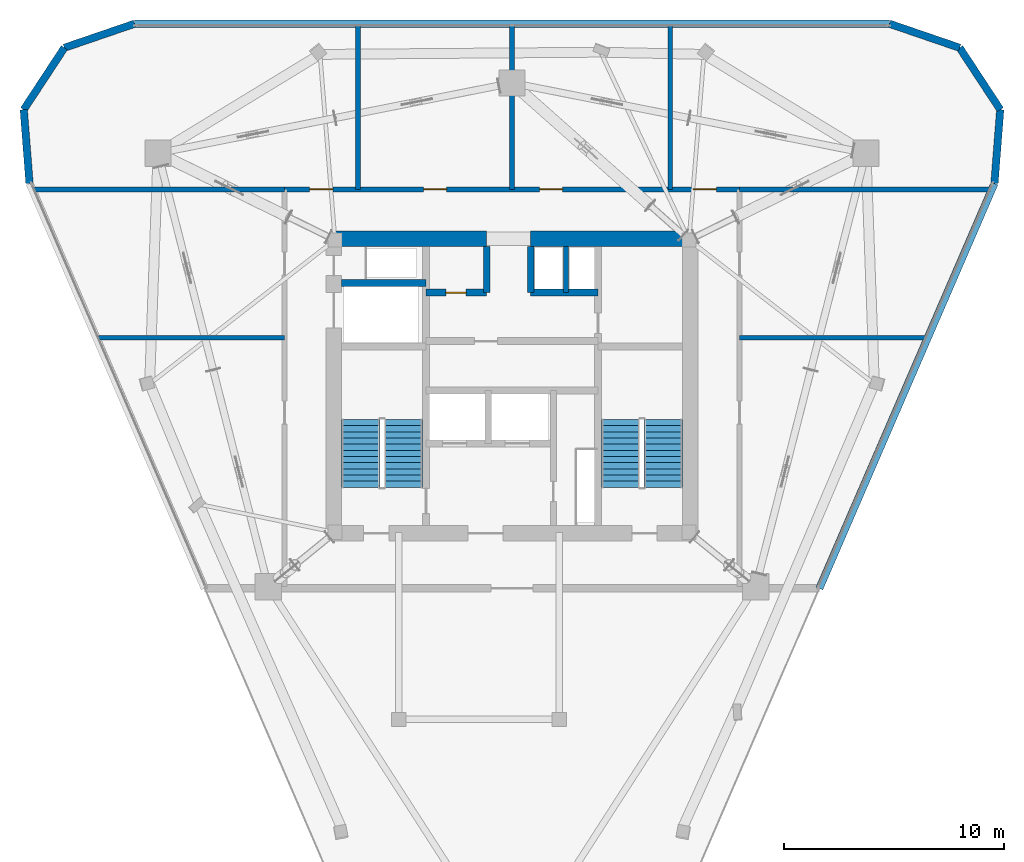
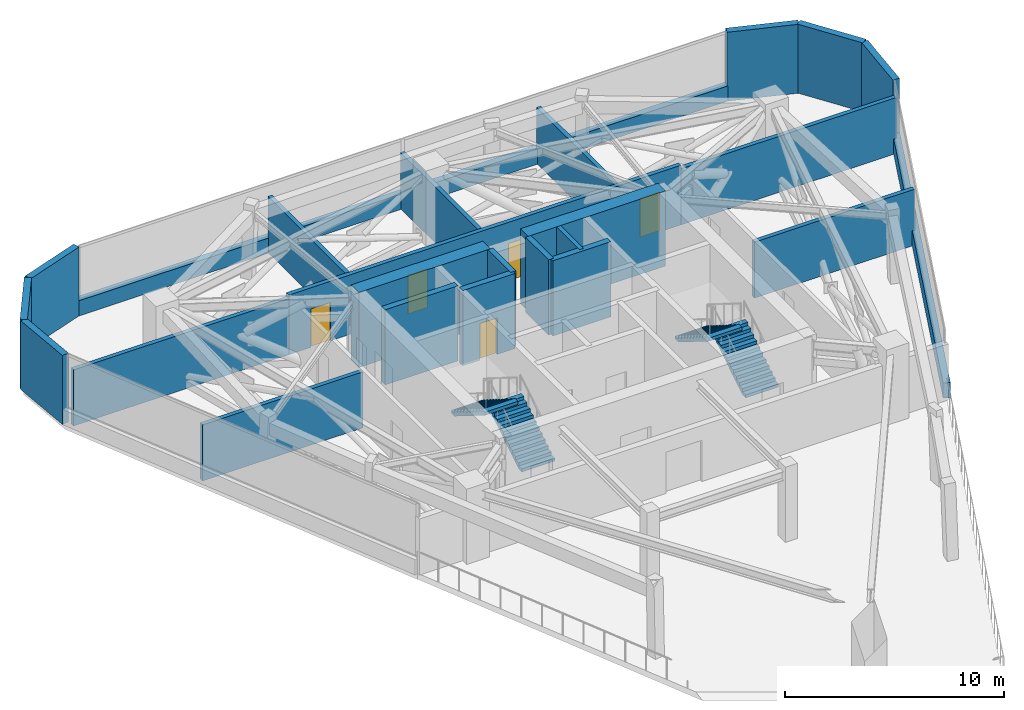
# One storey, part 8 of 10: 24 walls, 5 doors, 4 stair flights, 5 openings, 2 elements without a shape of their own.
"""IFC4 building model written with IfcOpenShell, lengths in metres."""

import ifcopenshell
import ifcopenshell.guid

model = None  # the IFC model being written
_history = None  # IfcOwnerHistory: only IFC2X3 demands one
_inside = {}  # id of a spatial element -> (the spatial element, [elements in it])
_under = {}  # id of a project, library or spatial element -> (it, [spatial elements below it])
_declared = {}  # id of a project -> (the project, [libraries it declares])
_typed = {}  # id of a type object -> (the type object, [elements of that type])
_made_of = {}  # id of a material, layer set ... -> (it, [elements and type objects made of it])


def new_model(schema):
    """Start an empty IFC model of exactly this schema.

    Asked for "IFC4X3", IfcOpenShell would pick the latest addendum, in which some entities
    have other attributes; the version numbers below select the first issue.
    IFC2X3 requires an IfcOwnerHistory on every rooted entity: one is made here for all.
    """
    global model, _history
    if schema == "IFC4X3":
        model = ifcopenshell.file(schema_version=(4, 3, 0, 0))
    else:
        model = ifcopenshell.file(schema=schema)
    _inside.clear()
    _under.clear()
    _declared.clear()
    _typed.clear()
    _made_of.clear()
    _history = None
    if model.schema == "IFC2X3":
        org = make("IfcOrganization", Name="unknown")
        user = make(
            "IfcPersonAndOrganization",
            ThePerson=make("IfcPerson", FamilyName="unknown"),
            TheOrganization=org,
        )
        app = make(
            "IfcApplication",
            ApplicationDeveloper=org,
            Version="unknown",
            ApplicationFullName="unknown",
            ApplicationIdentifier="unknown",
        )
        _history = make(
            "IfcOwnerHistory",
            OwningUser=user,
            OwningApplication=app,
            ChangeAction="ADDED",
            CreationDate=0,
        )
    return model


def make(cls, **values):
    """One entity of the class cls with the attributes given. An attribute that is None is left unset."""
    return model.create_entity(
        cls, **{name: value for name, value in values.items() if value is not None}
    )


def rooted(cls, **values):
    """An entity with a GlobalId (a new one), such as an element, a storey or a relation."""
    return make(cls, GlobalId=ifcopenshell.guid.new(), OwnerHistory=_history, **values)


def si_unit(unit_type, name, prefix=None):
    """IfcSIUnit, for example si_unit("LENGTHUNIT", "METRE", prefix="MILLI")."""
    return make("IfcSIUnit", UnitType=unit_type, Prefix=prefix, Name=name)


def assignment(units):
    """IfcUnitAssignment: the units of a project."""
    return None if units is None else make("IfcUnitAssignment", Units=units)


def point(xyz):
    """IfcCartesianPoint."""
    return None if xyz is None else make("IfcCartesianPoint", Coordinates=xyz)


def direction(xyz):
    """IfcDirection."""
    return None if xyz is None else make("IfcDirection", DirectionRatios=xyz)


def frame(location, z_axis=None, x_axis=None):
    """IfcAxis2Placement3D, a coordinate frame: its origin and axes. An axis left out is left unset."""
    return make(
        "IfcAxis2Placement3D",
        Location=point(location),
        Axis=direction(z_axis),
        RefDirection=direction(x_axis),
    )


def frame_2d(location, x_axis=None):
    """IfcAxis2Placement2D, a coordinate frame in the plane: its origin and x axis."""
    return make(
        "IfcAxis2Placement2D", Location=point(location), RefDirection=direction(x_axis)
    )


def origin():
    """The frame at (0, 0, 0) with its axes left unset."""
    return frame((0.0, 0.0, 0.0))


def place(relative_to, where):
    """IfcLocalPlacement: puts the frame where relative to a parent placement (None: the world)."""
    return make(
        "IfcLocalPlacement", PlacementRelTo=relative_to, RelativePlacement=where
    )


def context(
    kind, dimensions, precision=None, world=None, true_north=None, identifier=None
):
    """IfcGeometricRepresentationContext, for example the 3D "Model" context."""
    return make(
        "IfcGeometricRepresentationContext",
        ContextIdentifier=identifier,
        ContextType=kind,
        CoordinateSpaceDimension=dimensions,
        Precision=precision,
        WorldCoordinateSystem=world,
        TrueNorth=true_north,
    )


def subcontext(parent, identifier, kind, view, scale=None):
    """IfcGeometricRepresentationSubContext, for example "Body" below "Model"."""
    return make(
        "IfcGeometricRepresentationSubContext",
        ContextIdentifier=identifier,
        ContextType=kind,
        ParentContext=parent,
        TargetScale=scale,
        TargetView=view,
    )


def project(units=None, contexts=None):
    """IfcProject with its units and contexts."""
    return rooted(
        "IfcProject",
        Name="project",
        RepresentationContexts=contexts,
        UnitsInContext=assignment(units),
    )


def spatial(cls, under=None, at=None, **own):
    """A site, building, storey or space (cls), placed at a placement, below another one or the project."""
    s = rooted(cls, ObjectPlacement=at, **own)
    if under is not None:
        _under.setdefault(under.id(), (under, []))[1].append(s)
    return s


def polyline(points):
    """IfcPolyline through the points."""
    return make("IfcPolyline", Points=[point(p) for p in points])


def profile(cls, at=None, kind="AREA", **sizes):
    """A parametric profile (cls). Its sizes go by their IFC names, for example OverallWidth=200.0."""
    return make(cls, ProfileType=kind, Position=at, **sizes)


def rectangle(**sizes):
    """IfcRectangleProfileDef."""
    return profile("IfcRectangleProfileDef", **sizes)


def outline(outer, holes=None, kind="AREA"):
    """IfcArbitraryClosedProfileDef: a profile drawn as a closed curve; with holes, ...WithVoids."""
    if holes is None:
        return make("IfcArbitraryClosedProfileDef", ProfileType=kind, OuterCurve=outer)
    return make(
        "IfcArbitraryProfileDefWithVoids",
        ProfileType=kind,
        OuterCurve=outer,
        InnerCurves=holes,
    )


def extrude(swept, where, along, depth):
    """IfcExtrudedAreaSolid: the profile swept, set in the frame where, extruded along a direction by depth."""
    return make(
        "IfcExtrudedAreaSolid",
        SweptArea=swept,
        Position=where,
        ExtrudedDirection=direction(along),
        Depth=depth,
    )


def shape(context_of_items, identifier, shape_type, items):
    """IfcShapeRepresentation: the items that make up one representation, for example the "Body"."""
    return make(
        "IfcShapeRepresentation",
        ContextOfItems=context_of_items,
        RepresentationIdentifier=identifier,
        RepresentationType=shape_type,
        Items=items,
    )


def material(Name=None, Category=None):
    """IfcMaterial."""
    return make("IfcMaterial", Name=Name, Category=Category)


def layer(
    of_material, thickness, ventilated=None, Name=None, Category=None, Priority=None
):
    """IfcMaterialLayer: one layer of a wall or slab, of a material (None: an air gap)."""
    return make(
        "IfcMaterialLayer",
        Material=of_material,
        LayerThickness=thickness,
        IsVentilated=ventilated,
        Name=Name,
        Category=Category,
        Priority=Priority,
    )


def layer_set(layers, Name=None):
    """IfcMaterialLayerSet."""
    return make("IfcMaterialLayerSet", MaterialLayers=layers, LayerSetName=Name)


def made_of(thing, what):
    """Note that an element or type object is made of a material, layer set ...; save() writes the relation."""
    if what is not None:
        _made_of.setdefault(what.id(), (what, []))[1].append(thing)
    return thing


def type_object(cls, material=None, **own):
    """A type object (cls), such as IfcWallType, which elements share."""
    return made_of(rooted(cls, **own), material)


def element(
    cls,
    number,
    at=None,
    inside=None,
    cuts=None,
    type_object=None,
    material=None,
    context=None,
    identifier="Body",
    shape_type=None,
    held_by="IfcProductDefinitionShape",
    body=None,
    shapes=None,
    **own,
):
    """One element of the class cls, such as IfcWall. Its Tag is "e" and its number.

    at: its placement. inside: the storey or other place that contains it. cuts: it is an
    opening in that element (IfcRelVoidsElement). A single representation is given by context,
    identifier, shape_type and body (its items); several are given by shapes. held_by: the class
    of the entity that holds the representations. save() writes the other relations.
    """
    e = rooted(cls, Tag="e%d" % number, ObjectPlacement=at, **own)
    if body is not None:
        shapes = [shape(context, identifier, shape_type, body)]
    if shapes is not None:
        e.Representation = make(held_by, Representations=shapes)
    if inside is not None:
        _inside.setdefault(inside.id(), (inside, []))[1].append(e)
    if cuts is not None:
        rooted(
            "IfcRelVoidsElement", RelatingBuildingElement=cuts, RelatedOpeningElement=e
        )
    if type_object is not None:
        _typed.setdefault(type_object.id(), (type_object, []))[1].append(e)
    return made_of(e, material)


def fill(opening, filler):
    """IfcRelFillsElement: the door or window that sits in an opening."""
    return rooted(
        "IfcRelFillsElement",
        RelatingOpeningElement=opening,
        RelatedBuildingElement=filler,
    )


def aggregate(whole, parts):
    """IfcRelAggregates: a whole, such as a stair, and the parts it consists of."""
    return rooted("IfcRelAggregates", RelatingObject=whole, RelatedObjects=parts)


def save(model, path):
    """Write the relations noted so far, then the file.

    IfcRelAggregates (storeys below a building ...), IfcRelContainedInSpatialStructure (elements
    in a storey), IfcRelDefinesByType, IfcRelAssociatesMaterial and IfcRelDeclares: one each for
    every whole, place, type object, material and project.
    """
    for whole, parts in _under.values():
        aggregate(whole, parts)
    for where, things in _inside.values():
        rooted(
            "IfcRelContainedInSpatialStructure",
            RelatedElements=things,
            RelatingStructure=where,
        )
    for kind, things in _typed.values():
        rooted("IfcRelDefinesByType", RelatedObjects=things, RelatingType=kind)
    for what, things in _made_of.values():
        rooted("IfcRelAssociatesMaterial", RelatedObjects=things, RelatingMaterial=what)
    for by, libraries in _declared.values():
        rooted("IfcRelDeclares", RelatingContext=by, RelatedDefinitions=libraries)
    model.write(path)


model = new_model("IFC4")

# Units and contexts
model_context = context("Model", 3, precision=1e-05, world=origin(), true_north=direction((0.0, 1.0)))
body_context = subcontext(model_context, "Body", "Model", "MODEL_VIEW")
ifc_project = project(units=[si_unit("LENGTHUNIT", "METRE"), si_unit("AREAUNIT", "SQUARE_METRE"), si_unit("VOLUMEUNIT", "CUBIC_METRE"), si_unit("PLANEANGLEUNIT", "RADIAN"), si_unit("MASSUNIT", "GRAM", prefix="KILO")], contexts=[model_context])

# Site, building, storey
site_placement = place(None, origin())
site = spatial("IfcSite", under=ifc_project, at=site_placement, CompositionType="ELEMENT")
building_placement = place(site_placement, origin())
building = spatial("IfcBuilding", under=site, at=building_placement, Name="Talyreon Biosciences Tower", CompositionType="ELEMENT")
storey_placement = place(building_placement, frame((0.0, 0.0, 275.39990234375)))
storey = spatial("IfcBuildingStorey", under=building, at=storey_placement, Name="L73", CompositionType="ELEMENT", Elevation=275.39990234375)

# Walls
ifc_material_1 = material(Name="Concrete C50/60", Category="concrete")
ifc_layer_1 = layer(ifc_material_1, 0.219970703125)
ifc_layer_set_1 = layer_set([ifc_layer_1], Name="Concrete C50/60")
wall_type_1 = type_object("IfcWallType", Name="CoreShearWall_220", PredefinedType="SHEAR", material=ifc_layer_set_1)
wall_1_placement = place(storey_placement, frame((68.4599609375, 72.25, 0.0), z_axis=(0.0, 0.0, 1.0), x_axis=(0.0, 1.0, 0.0)))
element("IfcWall", 1, at=wall_1_placement, inside=storey, type_object=wall_type_1, Name="L73 Core Shaft Wall SWPHD", PredefinedType="SHEAR", context=body_context, shape_type="SweptSolid", body=[
    extrude(rectangle(XDim=2.10009765625, YDim=0.219970703125, at=frame_2d((1.050048828125, 0.0))), origin(), (0.0, 0.0, 1.0), 4.2001953125),
])
ifc_layer_2 = layer(ifc_material_1, 0.280029296875)
ifc_layer_set_2 = layer_set([ifc_layer_2], Name="Concrete C50/60")
wall_type_2 = type_object("IfcWallType", Name="CoreShearWall_280", PredefinedType="SHEAR", material=ifc_layer_set_2)
for number, where, z_axis, x_axis, name in (
    (2, (64.85009765625, 72.25, 0.0), (0.0, 0.0, 1.0), (0.0, 1.0, 0.0), "L73 Core Shaft Wall SWTHW"),
    (3, (66.85009765625, 72.25, 0.0), (0.0, 0.0, 1.0), (0.0, 1.0, 0.0), "L73 Core Shaft Wall SWTHE"),
):
    element("IfcWall", number, at=place(storey_placement, frame(where, z_axis=z_axis, x_axis=x_axis)), inside=storey, type_object=wall_type_2, Name=name, PredefinedType="SHEAR", context=body_context, shape_type="SweptSolid", body=[
        extrude(rectangle(XDim=2.10009765625, YDim=0.280029296875, at=frame_2d((1.050048828125, 0.0))), origin(), (0.0, 0.0, 1.0), 4.2001953125),
    ])
ifc_layer_3 = layer(ifc_material_1, 0.320068359375)
ifc_layer_set_3 = layer_set([ifc_layer_3], Name="Concrete C50/60")
wall_type_3 = type_object("IfcWallType", Name="CoreShearWall_320", PredefinedType="SHEAR", material=ifc_layer_set_3)
wall_2_placement = place(storey_placement, frame((58.25, 72.699951171875, 0.0), z_axis=(0.0, 0.0, 1.0), x_axis=(1.0, 0.0, 0.0)))
element("IfcWall", 4, at=wall_2_placement, inside=storey, type_object=wall_type_3, Name="L73 Core Shaft Wall SWGLN", PredefinedType="SHEAR", context=body_context, shape_type="SweptSolid", body=[
    extrude(rectangle(XDim=3.840087890625, YDim=0.320068359375, at=frame_2d((1.919921875, 0.0))), origin(), (0.0, 0.0, 1.0), 4.2001953125),
])

# Wall, opening, door
wall_3_placement = place(storey_placement, frame((62.090087890625, 72.25, 0.0), z_axis=(0.0, 0.0, 1.0), x_axis=(1.0, 0.0, 0.0)))
wall_3 = element("IfcWall", 5, at=wall_3_placement, inside=storey, type_object=wall_type_3, Name="L73 Core Shaft Wall SWNPW", PredefinedType="SHEAR", context=body_context, shape_type="SweptSolid", body=[
    extrude(rectangle(XDim=2.760009765625, YDim=0.320068359375, at=frame_2d((1.3798828125, 0.0))), origin(), (0.0, 0.0, 1.0), 4.2001953125),
])
opening_1_placement = place(wall_3_placement, frame((0.89990234375, 0.0, 0.0)))
opening_1 = element("IfcOpeningElement", 6, at=opening_1_placement, cuts=wall_3, Name="Opening DR-L73-PM2FREE", PredefinedType="OPENING", context=body_context, shape_type="SweptSolid", body=[
    extrude(rectangle(XDim=0.919921875, YDim=2.050048828125, at=frame_2d((0.4599609375, 1.02490234375))), frame((0.0, 0.169921875, 0.0), z_axis=(0.0, -1.0, 0.0), x_axis=(1.0, 0.0, 0.0)), (0.0, 0.0, 1.0), 0.340087890625),
])
ifc_material_2 = material(Name="Painted steel fire-rated riser door", Category="steel")
door_type_1 = type_object("IfcDoorType", Name="RiserPlantAccessDoor_920x2050", OperationType="NOTDEFINED", PredefinedType="DOOR", material=ifc_material_2)
door_1_placement = place(opening_1_placement, origin())
door_1 = element("IfcDoor", 7, at=door_1_placement, inside=storey, type_object=door_type_1, Name="L73 Core Door DR-L73-PM2FREE", OperationType="SINGLE_SWING_RIGHT", OverallHeight=2.050048828125, OverallWidth=0.919921875, PredefinedType="DOOR", context=body_context, shape_type="SweptSolid", body=[
    extrude(rectangle(XDim=0.919921875, YDim=2.050048828125, at=frame_2d((0.4599609375, 1.02490234375))), frame((0.0, 0.02490234375, 0.0), z_axis=(0.0, -1.0, 0.0), x_axis=(1.0, 0.0, 0.0)), (0.0, 0.0, 1.0), 0.050048828125),
])
fill(opening_1, door_1)

# Walls
wall_4_placement = place(storey_placement, frame((66.85009765625, 72.25, 0.0), z_axis=(0.0, 0.0, 1.0), x_axis=(1.0, 0.0, 0.0)))
element("IfcWall", 8, at=wall_4_placement, inside=storey, type_object=wall_type_3, Name="L73 Core Shaft Wall SWNPE", PredefinedType="SHEAR", context=body_context, shape_type="SweptSolid", body=[
    extrude(rectangle(XDim=3.059814453125, YDim=0.320068359375, at=frame_2d((1.52978515625, 0.0))), origin(), (0.0, 0.0, 1.0), 4.2001953125),
])
ifc_layer_4 = layer(ifc_material_1, 0.699951171875)
ifc_layer_set_4 = layer_set([ifc_layer_4], Name="Concrete C50/60")
wall_type_4 = type_object("IfcWallType", Name="CoreShearWall_700", PredefinedType="SHEAR", material=ifc_layer_set_4)
wall_5_placement = place(storey_placement, frame((74.10009765625, 74.699951171875, 0.0), z_axis=(0.0, 0.0, 1.0), x_axis=(-1.0, 0.0, 0.0)))
element("IfcWall", 9, at=wall_5_placement, inside=storey, type_object=wall_type_4, Name="L73 Core Shear Wall NE", PredefinedType="SHEAR", context=body_context, shape_type="SweptSolid", body=[
    extrude(rectangle(XDim=7.25, YDim=0.699951171875, at=frame_2d((3.625, 0.0))), origin(), (0.0, 0.0, 1.0), 4.2001953125),
])
wall_6_placement = place(storey_placement, frame((64.85009765625, 74.699951171875, 0.0), z_axis=(0.0, 0.0, 1.0), x_axis=(-1.0, 0.0, 0.0)))
element("IfcWall", 10, at=wall_6_placement, inside=storey, type_object=wall_type_4, Name="L73 Core Shear Wall NW", PredefinedType="SHEAR", context=body_context, shape_type="SweptSolid", body=[
    extrude(rectangle(XDim=6.9501953125, YDim=0.699951171875, at=frame_2d((3.47509765625, 0.0))), origin(), (0.0, 0.0, 1.0), 4.2001953125),
])
ifc_material_3 = material(Name="Gypsum fireboard acoustic stud", Category="gypsum")
ifc_layer_5 = layer(ifc_material_3, 0.219970703125)
ifc_layer_set_5 = layer_set([ifc_layer_5], Name="Gypsum fireboard acoustic stud")
wall_type_5 = type_object("IfcWallType", Name="CorridorRatedPartition_220", PredefinedType="PARTITIONING", material=ifc_layer_set_5)
for number, where, z_axis, x_axis, name in (
    (11, (59.0, 76.949951171875, 0.0), (0.0, 0.0, 1.0), (0.0, 1.0, 0.0), "L73 Interior Wall IW-L73-ND1"),
    (12, (66.0, 76.949951171875, 0.0), (0.0, 0.0, 1.0), (0.0, 1.0, 0.0), "L73 Interior Wall IW-L73-ND2"),
    (13, (73.199951171875, 76.949951171875, 0.0), (0.0, 0.0, 1.0), (0.0, 1.0, 0.0), "L73 Interior Wall IW-L73-ND3"),
):
    element("IfcWall", number, at=place(storey_placement, frame(where, z_axis=z_axis, x_axis=x_axis)), inside=storey, type_object=wall_type_5, Name=name, PredefinedType="PARTITIONING", context=body_context, shape_type="SweptSolid", body=[
        extrude(rectangle(XDim=7.44921875, YDim=0.219970703125, at=frame_2d((3.724609375, 0.0))), origin(), (0.0, 0.0, 1.0), 3.130126953125),
    ])
for number, where, z_axis, x_axis, name in (
    (14, (44.263427734375, 76.949951171875, 0.0), (0.0, 0.0, 1.0), (1.0, 0.0, 0.0), "L73 Interior Wall IW-L73-NDIV-NW"),
    (15, (76.35009765625, 76.949951171875, 0.0), (0.0, 0.0, 1.0), (1.0, 0.0, 0.0), "L73 Interior Wall IW-L73-NDIV-NE"),
):
    element("IfcWall", number, at=place(storey_placement, frame(where, z_axis=z_axis, x_axis=x_axis)), inside=storey, type_object=wall_type_5, Name=name, PredefinedType="PARTITIONING", context=body_context, shape_type="SweptSolid", body=[
        extrude(rectangle(XDim=11.386474609375, YDim=0.219970703125, at=frame_2d((5.693359375, 0.0))), origin(), (0.0, 0.0, 1.0), 3.130126953125),
    ])
for number, where, z_axis, x_axis, name in (
    (16, (47.18212890625, 70.199951171875, 0.0), (0.0, 0.0, 1.0), (1.0, 0.0, 0.0), "L73 Interior Wall IW-L73-WD1"),
    (17, (76.35009765625, 70.199951171875, 0.0), (0.0, 0.0, 1.0), (1.0, 0.0, 0.0), "L73 Interior Wall IW-L73-ED1"),
):
    element("IfcWall", number, at=place(storey_placement, frame(where, z_axis=z_axis, x_axis=x_axis)), inside=storey, type_object=wall_type_5, Name=name, PredefinedType="PARTITIONING", context=body_context, shape_type="SweptSolid", body=[
        extrude(rectangle(XDim=8.4677734375, YDim=0.219970703125, at=frame_2d((4.23388671875, 0.0))), origin(), (0.0, 0.0, 1.0), 3.130126953125),
    ])

# Wall, openings, doors
wall_7_placement = place(storey_placement, frame((55.64990234375, 76.949951171875, 0.0), z_axis=(0.0, 0.0, 1.0), x_axis=(1.0, 0.0, 0.0)))
wall_7 = element("IfcWall", 18, at=wall_7_placement, inside=storey, type_object=wall_type_5, Name="L73 Interior Wall IW-L73-PC-N", PredefinedType="PARTITIONING", context=body_context, shape_type="SweptSolid", body=[
    extrude(rectangle(XDim=20.7001953125, YDim=0.219970703125, at=frame_2d((10.35009765625, 0.0))), origin(), (0.0, 0.0, 1.0), 3.330078125),
])
opening_2_placement = place(wall_7_placement, frame((1.14990234375, 0.0, 0.0)))
opening_2 = element("IfcOpeningElement", 19, at=opening_2_placement, cuts=wall_7, Name="Opening DR-L73-PL-NWA", PredefinedType="OPENING", context=body_context, shape_type="SweptSolid", body=[
    extrude(rectangle(XDim=1.050048828125, YDim=2.14990234375, at=frame_2d((0.52490234375, 1.074951171875))), frame((0.0, 0.119873046875, 0.0), z_axis=(0.0, -1.0, 0.0), x_axis=(1.0, 0.0, 0.0)), (0.0, 0.0, 1.0), 0.239990234375),
])
opening_3_placement = place(wall_7_placement, frame((6.324951171875, 0.0, 0.0)))
opening_3 = element("IfcOpeningElement", 20, at=opening_3_placement, cuts=wall_7, Name="Opening DR-L73-PL-NWB", PredefinedType="OPENING", context=body_context, shape_type="SweptSolid", body=[
    extrude(rectangle(XDim=1.050048828125, YDim=2.14990234375, at=frame_2d((0.52490234375, 1.074951171875))), frame((0.0, 0.119873046875, 0.0), z_axis=(0.0, -1.0, 0.0), x_axis=(1.0, 0.0, 0.0)), (0.0, 0.0, 1.0), 0.239990234375),
])
opening_4_placement = place(wall_7_placement, frame((11.60205078125, 0.0, 0.0)))
opening_4 = element("IfcOpeningElement", 21, at=opening_4_placement, cuts=wall_7, Name="Opening DR-L73-PL-NEA", PredefinedType="OPENING", context=body_context, shape_type="SweptSolid", body=[
    extrude(rectangle(XDim=1.050048828125, YDim=2.14990234375, at=frame_2d((0.52490234375, 1.074951171875))), frame((0.0, 0.119873046875, 0.0), z_axis=(0.0, -1.0, 0.0), x_axis=(1.0, 0.0, 0.0)), (0.0, 0.0, 1.0), 0.239990234375),
])
opening_5_placement = place(wall_7_placement, frame((18.60009765625, 0.0, 0.0)))
opening_5 = element("IfcOpeningElement", 22, at=opening_5_placement, cuts=wall_7, Name="Opening DR-L73-PL-NEB", PredefinedType="OPENING", context=body_context, shape_type="SweptSolid", body=[
    extrude(rectangle(XDim=1.050048828125, YDim=2.14990234375, at=frame_2d((0.52490234375, 1.074951171875))), frame((0.0, 0.119873046875, 0.0), z_axis=(0.0, -1.0, 0.0), x_axis=(1.0, 0.0, 0.0)), (0.0, 0.0, 1.0), 0.239990234375),
])
ifc_material_4 = material(Name="Acoustic timber-core laboratory door", Category="wood")
door_type_2 = type_object("IfcDoorType", Name="DryLabSingleDoor_1050x2150", OperationType="NOTDEFINED", PredefinedType="DOOR", material=ifc_material_4)
door_2_placement = place(opening_2_placement, origin())
door_2 = element("IfcDoor", 23, at=door_2_placement, inside=storey, type_object=door_type_2, Name="L73 Interior Door DR-L73-PL-NWA", OperationType="SINGLE_SWING_LEFT", OverallHeight=2.14990234375, OverallWidth=1.050048828125, PredefinedType="DOOR", context=body_context, shape_type="SweptSolid", body=[
    extrude(rectangle(XDim=1.050048828125, YDim=2.14990234375, at=frame_2d((0.52490234375, 1.074951171875))), frame((0.0, 0.02490234375, 0.0), z_axis=(0.0, -1.0, 0.0), x_axis=(1.0, 0.0, 0.0)), (0.0, 0.0, 1.0), 0.050048828125),
])
fill(opening_2, door_2)
door_3_placement = place(opening_3_placement, origin())
door_3 = element("IfcDoor", 24, at=door_3_placement, inside=storey, type_object=door_type_2, Name="L73 Interior Door DR-L73-PL-NWB", OperationType="SINGLE_SWING_LEFT", OverallHeight=2.14990234375, OverallWidth=1.050048828125, PredefinedType="DOOR", context=body_context, shape_type="SweptSolid", body=[
    extrude(rectangle(XDim=1.050048828125, YDim=2.14990234375, at=frame_2d((0.52490234375, 1.074951171875))), frame((0.0, 0.02490234375, 0.0), z_axis=(0.0, -1.0, 0.0), x_axis=(1.0, 0.0, 0.0)), (0.0, 0.0, 1.0), 0.050048828125),
])
fill(opening_3, door_3)
door_4_placement = place(opening_4_placement, origin())
door_4 = element("IfcDoor", 25, at=door_4_placement, inside=storey, type_object=door_type_2, Name="L73 Interior Door DR-L73-PL-NEA", OperationType="SINGLE_SWING_RIGHT", OverallHeight=2.14990234375, OverallWidth=1.050048828125, PredefinedType="DOOR", context=body_context, shape_type="SweptSolid", body=[
    extrude(rectangle(XDim=1.050048828125, YDim=2.14990234375, at=frame_2d((0.52490234375, 1.074951171875))), frame((0.0, 0.02490234375, 0.0), z_axis=(0.0, -1.0, 0.0), x_axis=(1.0, 0.0, 0.0)), (0.0, 0.0, 1.0), 0.050048828125),
])
fill(opening_4, door_4)
door_5_placement = place(opening_5_placement, origin())
door_5 = element("IfcDoor", 26, at=door_5_placement, inside=storey, type_object=door_type_2, Name="L73 Interior Door DR-L73-PL-NEB", OperationType="SINGLE_SWING_LEFT", OverallHeight=2.14990234375, OverallWidth=1.050048828125, PredefinedType="DOOR", context=body_context, shape_type="SweptSolid", body=[
    extrude(rectangle(XDim=1.050048828125, YDim=2.14990234375, at=frame_2d((0.52490234375, 1.074951171875))), frame((0.0, 0.02490234375, 0.0), z_axis=(0.0, -1.0, 0.0), x_axis=(1.0, 0.0, 0.0)), (0.0, 0.0, 1.0), 0.050048828125),
])
fill(opening_5, door_5)

# Walls
ifc_material_5 = material(Name="Precast concrete C45/55", Category="concrete")
ifc_layer_6 = layer(ifc_material_5, 0.340087890625)
ifc_layer_set_6 = layer_set([ifc_layer_6], Name="Precast concrete C45/55")
wall_type_6 = type_object("IfcWallType", Name="PrecastConcreteSpandrelWall_340", PredefinedType="STANDARD", material=ifc_layer_set_6)
wall_8_placement = place(storey_placement, frame((44.053955078125, 77.22021484375, 0.0), z_axis=(0.0, 0.0, 1.0), x_axis=(-0.078203957381, 0.996937380706, 0.0)))
element("IfcWall", 27, at=wall_8_placement, inside=storey, type_object=wall_type_6, Name="L73 Rounded-Corner Concrete Pier 00", PredefinedType="STANDARD", context=body_context, shape_type="SweptSolid", body=[
    extrude(rectangle(XDim=3.368408203125, YDim=0.340087890625, at=frame_2d((1.68408203125, 0.0))), origin(), (0.0, 0.0, 1.0), 3.85009765625),
])
wall_9_placement = place(storey_placement, frame((43.79052734375, 80.578369140625, 0.0), z_axis=(0.0, 0.0, 1.0), x_axis=(0.549134495039, 0.835733992582, 0.0)))
element("IfcWall", 28, at=wall_9_placement, inside=storey, type_object=wall_type_6, Name="L73 Rounded-Corner Concrete Pier 01", PredefinedType="STANDARD", context=body_context, shape_type="SweptSolid", body=[
    extrude(rectangle(XDim=3.3681640625, YDim=0.340087890625, at=frame_2d((1.68408203125, 0.0))), origin(), (0.0, 0.0, 1.0), 3.85009765625),
])
wall_10_placement = place(storey_placement, frame((45.64013671875, 83.393310546875, 0.0), z_axis=(0.0, 0.0, 1.0), x_axis=(0.946108474855, 0.323849893944, 0.0)))
element("IfcWall", 29, at=wall_10_placement, inside=storey, type_object=wall_type_6, Name="L73 Rounded-Corner Concrete Pier 02", PredefinedType="STANDARD", context=body_context, shape_type="SweptSolid", body=[
    extrude(rectangle(XDim=3.368408203125, YDim=0.340087890625, at=frame_2d((1.68408203125, 0.0))), origin(), (0.0, 0.0, 1.0), 3.85009765625),
])
wall_11_placement = place(storey_placement, frame((48.826904296875, 84.484130859375, 0.0), z_axis=(0.0, 0.0, 1.0), x_axis=(1.0, 0.0, 0.0)))
element("IfcWall", 30, at=wall_11_placement, inside=storey, type_object=wall_type_6, Name="L73 Expressed Concrete Sill Wall 03", PredefinedType="STANDARD", context=body_context, shape_type="SweptSolid", body=[
    extrude(rectangle(XDim=34.34619140625, YDim=0.340087890625, at=frame_2d((17.173095703125, 0.0))), origin(), (0.0, 0.0, 1.0), 0.85009765625),
])
wall_12_placement = place(storey_placement, frame((83.173095703125, 84.484130859375, 0.0), z_axis=(0.0, 0.0, 1.0), x_axis=(0.946108474855, -0.323849893944, 0.0)))
element("IfcWall", 31, at=wall_12_placement, inside=storey, type_object=wall_type_6, Name="L73 Rounded-Corner Concrete Pier 04", PredefinedType="STANDARD", context=body_context, shape_type="SweptSolid", body=[
    extrude(rectangle(XDim=3.368408203125, YDim=0.340087890625, at=frame_2d((1.68408203125, 0.0))), origin(), (0.0, 0.0, 1.0), 3.85009765625),
])
wall_13_placement = place(storey_placement, frame((86.35986328125, 83.393310546875, 0.0), z_axis=(0.0, 0.0, 1.0), x_axis=(0.549134495039, -0.835733992582, 0.0)))
element("IfcWall", 32, at=wall_13_placement, inside=storey, type_object=wall_type_6, Name="L73 Rounded-Corner Concrete Pier 05", PredefinedType="STANDARD", context=body_context, shape_type="SweptSolid", body=[
    extrude(rectangle(XDim=3.3681640625, YDim=0.340087890625, at=frame_2d((1.68408203125, 0.0))), origin(), (0.0, 0.0, 1.0), 3.85009765625),
])
wall_14_placement = place(storey_placement, frame((88.20947265625, 80.578369140625, 0.0), z_axis=(0.0, 0.0, 1.0), x_axis=(-0.078203957381, -0.996937380706, 0.0)))
element("IfcWall", 33, at=wall_14_placement, inside=storey, type_object=wall_type_6, Name="L73 Rounded-Corner Concrete Pier 06", PredefinedType="STANDARD", context=body_context, shape_type="SweptSolid", body=[
    extrude(rectangle(XDim=3.368408203125, YDim=0.340087890625, at=frame_2d((1.68408203125, 0.0))), origin(), (0.0, 0.0, 1.0), 3.85009765625),
])
wall_15_placement = place(storey_placement, frame((87.946044921875, 77.22021484375, 0.0), z_axis=(0.0, 0.0, 1.0), x_axis=(-0.396894807868, -0.917864102952, 0.0)))
element("IfcWall", 34, at=wall_15_placement, inside=storey, type_object=wall_type_6, Name="L73 Expressed Concrete Sill Wall 07", PredefinedType="STANDARD", context=body_context, shape_type="SweptSolid", body=[
    extrude(rectangle(XDim=20.068603515625, YDim=0.340087890625, at=frame_2d((10.0341796875, 0.0))), origin(), (0.0, 0.0, 1.0), 0.85009765625),
])

# Stair, stair flights
ifc_material_6 = material(Name="Concrete C40/50", Category="concrete")
stair_type = type_object("IfcStairType", Name="DoglegEscapeStair_4200", PredefinedType="HALF_TURN_STAIR", material=ifc_material_6)
stair_1_placement = place(storey_placement, origin())
stair_1 = element("IfcStair", 35, at=stair_1_placement, inside=storey, type_object=stair_type, Name="L73 Core Escape Stair 1", PredefinedType="HALF_TURN_STAIR")
stair_flight_type = type_object("IfcStairFlightType", Name="PrecastStairFlight_4200", PredefinedType="STRAIGHT", material=ifc_material_6)
stair_flight_1_placement = place(storey_placement, frame((61.06005859375, 63.39990234375, 0.0), z_axis=(0.0, 0.0, 1.0), x_axis=(0.0, 1.0, 0.0)))
stair_flight_1 = element("IfcStairFlight", 36, at=stair_flight_1_placement, type_object=stair_flight_type, Name="ST-1 flight 1", NumberOfRisers=12, NumberOfTreads=11, PredefinedType="STRAIGHT", RiserHeight=0.175, TreadLength=0.28, context=body_context, shape_type="SweptSolid", body=[
    extrude(outline(polyline([(0.0, 0.0), (0.0, 0.175048828125), (0.280029296875, 0.175048828125), (0.280029296875, 0.35009765625), (0.56005859375, 0.35009765625), (0.56005859375, 0.52490234375), (0.840087890625, 0.52490234375), (0.840087890625, 0.699951171875), (1.1201171875, 0.699951171875), (1.1201171875, 0.875), (1.39990234375, 0.875), (1.39990234375, 1.050048828125), (1.679931640625, 1.050048828125), (1.679931640625, 1.22509765625), (1.9599609375, 1.22509765625), (1.9599609375, 1.39990234375), (2.239990234375, 1.39990234375), (2.239990234375, 1.574951171875), (2.52001953125, 1.574951171875), (2.52001953125, 1.75), (2.800048828125, 1.75), (2.800048828125, 1.925048828125), (3.080078125, 1.925048828125), (3.080078125, 2.10009765625), (3.080078125, 1.748291015625), (0.28271484375, 0.0), (0.0, 0.0)])), frame((0.0, 0.8701171875, 0.0), z_axis=(0.0, -1.0, 0.0), x_axis=(1.0, 0.0, 0.0)), (0.0, 0.0, 1.0), 1.739990234375),
])
stair_flight_2_placement = place(storey_placement, frame((59.1201171875, 66.47998046875, 2.10009765625), z_axis=(0.0, 0.0, 1.0), x_axis=(0.0, -1.0, 0.0)))
stair_flight_2 = element("IfcStairFlight", 37, at=stair_flight_2_placement, type_object=stair_flight_type, Name="ST-1 flight 2", NumberOfRisers=12, NumberOfTreads=11, PredefinedType="STRAIGHT", RiserHeight=0.175, TreadLength=0.28, context=body_context, shape_type="SweptSolid", body=[
    extrude(outline(polyline([(0.0, 0.0), (0.0, 0.175048828125), (0.280029296875, 0.175048828125), (0.280029296875, 0.35009765625), (0.56005859375, 0.35009765625), (0.56005859375, 0.52490234375), (0.840087890625, 0.52490234375), (0.840087890625, 0.699951171875), (1.1201171875, 0.699951171875), (1.1201171875, 0.875), (1.39990234375, 0.875), (1.39990234375, 1.050048828125), (1.679931640625, 1.050048828125), (1.679931640625, 1.22509765625), (1.9599609375, 1.22509765625), (1.9599609375, 1.39990234375), (2.239990234375, 1.39990234375), (2.239990234375, 1.574951171875), (2.52001953125, 1.574951171875), (2.52001953125, 1.75), (2.800048828125, 1.75), (2.800048828125, 1.925048828125), (3.080078125, 1.925048828125), (3.080078125, 2.10009765625), (3.080078125, 1.748291015625), (0.28271484375, 0.0), (0.0, 0.0)])), frame((0.0, 0.8701171875, 0.0), z_axis=(0.0, -1.0, 0.0), x_axis=(1.0, 0.0, 0.0)), (0.0, 0.0, 1.0), 1.739990234375),
])
aggregate(stair_1, [stair_flight_1, stair_flight_2])

stair_2_placement = place(storey_placement, origin())
stair_2 = element("IfcStair", 38, at=stair_2_placement, inside=storey, type_object=stair_type, Name="L73 Core Escape Stair 2", PredefinedType="HALF_TURN_STAIR")
stair_flight_3_placement = place(storey_placement, frame((72.8798828125, 63.39990234375, 0.0), z_axis=(0.0, 0.0, 1.0), x_axis=(0.0, 1.0, 0.0)))
stair_flight_3 = element("IfcStairFlight", 39, at=stair_flight_3_placement, type_object=stair_flight_type, Name="ST-2 flight 1", NumberOfRisers=12, NumberOfTreads=11, PredefinedType="STRAIGHT", RiserHeight=0.175, TreadLength=0.28, context=body_context, shape_type="SweptSolid", body=[
    extrude(outline(polyline([(0.0, 0.0), (0.0, 0.175048828125), (0.280029296875, 0.175048828125), (0.280029296875, 0.35009765625), (0.56005859375, 0.35009765625), (0.56005859375, 0.52490234375), (0.840087890625, 0.52490234375), (0.840087890625, 0.699951171875), (1.1201171875, 0.699951171875), (1.1201171875, 0.875), (1.39990234375, 0.875), (1.39990234375, 1.050048828125), (1.679931640625, 1.050048828125), (1.679931640625, 1.22509765625), (1.9599609375, 1.22509765625), (1.9599609375, 1.39990234375), (2.239990234375, 1.39990234375), (2.239990234375, 1.574951171875), (2.52001953125, 1.574951171875), (2.52001953125, 1.75), (2.800048828125, 1.75), (2.800048828125, 1.925048828125), (3.080078125, 1.925048828125), (3.080078125, 2.10009765625), (3.080078125, 1.748291015625), (0.28271484375, 0.0), (0.0, 0.0)])), frame((0.0, 0.8701171875, 0.0), z_axis=(0.0, -1.0, 0.0), x_axis=(1.0, 0.0, 0.0)), (0.0, 0.0, 1.0), 1.739990234375),
])
stair_flight_4_placement = place(storey_placement, frame((70.93994140625, 66.47998046875, 2.10009765625), z_axis=(0.0, 0.0, 1.0), x_axis=(0.0, -1.0, 0.0)))
stair_flight_4 = element("IfcStairFlight", 40, at=stair_flight_4_placement, type_object=stair_flight_type, Name="ST-2 flight 2", NumberOfRisers=12, NumberOfTreads=11, PredefinedType="STRAIGHT", RiserHeight=0.175, TreadLength=0.28, context=body_context, shape_type="SweptSolid", body=[
    extrude(outline(polyline([(0.0, 0.0), (0.0, 0.175048828125), (0.280029296875, 0.175048828125), (0.280029296875, 0.35009765625), (0.56005859375, 0.35009765625), (0.56005859375, 0.52490234375), (0.840087890625, 0.52490234375), (0.840087890625, 0.699951171875), (1.1201171875, 0.699951171875), (1.1201171875, 0.875), (1.39990234375, 0.875), (1.39990234375, 1.050048828125), (1.679931640625, 1.050048828125), (1.679931640625, 1.22509765625), (1.9599609375, 1.22509765625), (1.9599609375, 1.39990234375), (2.239990234375, 1.39990234375), (2.239990234375, 1.574951171875), (2.52001953125, 1.574951171875), (2.52001953125, 1.75), (2.800048828125, 1.75), (2.800048828125, 1.925048828125), (3.080078125, 1.925048828125), (3.080078125, 2.10009765625), (3.080078125, 1.748291015625), (0.28271484375, 0.0), (0.0, 0.0)])), frame((0.0, 0.8701171875, 0.0), z_axis=(0.0, -1.0, 0.0), x_axis=(1.0, 0.0, 0.0)), (0.0, 0.0, 1.0), 1.739990234375),
])
aggregate(stair_2, [stair_flight_3, stair_flight_4])

save(model, "model.ifc")
